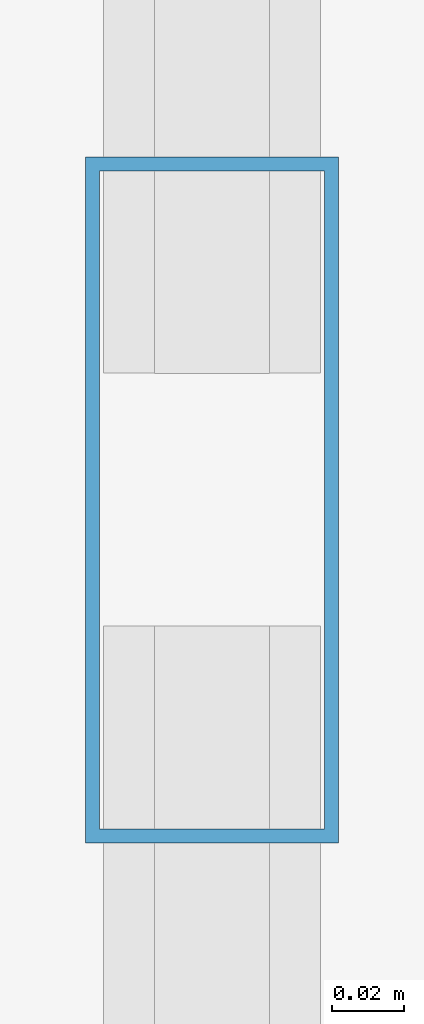
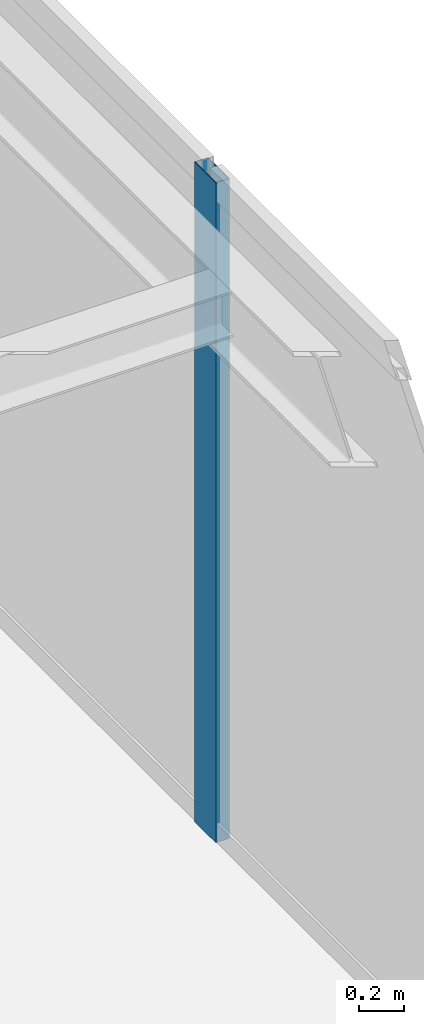
# One storey, part 20 of 32: 1 member, 1 element without a shape of its own.
"""IFC4 building model written with IfcOpenShell, lengths in metres."""

from ifc_helpers import new_model, si_unit, direction, frame, origin, origin_2d, place, context, subcontext, project, spatial, hollow_rectangle, extrude, source, transform, mapped, material, layer, layer_set, material_profile, profile_set, type_object, type_shapes, element, aggregate, save


model = new_model("IFC4")

# Units and contexts
model_context = context("Model", 3, precision=1e-05, world=origin(), true_north=direction((0.0, 1.0)))
body_context = subcontext(model_context, "Body", "Model", "MODEL_VIEW")
ifc_project = project(units=[si_unit("LENGTHUNIT", "METRE"), si_unit("AREAUNIT", "SQUARE_METRE"), si_unit("VOLUMEUNIT", "CUBIC_METRE"), si_unit("PLANEANGLEUNIT", "RADIAN"), si_unit("MASSUNIT", "GRAM", prefix="KILO")], contexts=[model_context])

# Site, building, storey
site_placement = place(None, origin())
site = spatial("IfcSite", under=ifc_project, at=site_placement, CompositionType="ELEMENT")
building_placement = place(site_placement, origin())
building = spatial("IfcBuilding", under=site, at=building_placement, Name="Varnel Quay Broadcast Tower", CompositionType="ELEMENT")
storey_placement = place(building_placement, frame((0.0, 0.0, 133.39990234375)))
storey = spatial("IfcBuildingStorey", under=building, at=storey_placement, Name="L32", CompositionType="ELEMENT", Elevation=133.39990234375)

# Curtain wall, member
ifc_material = material(Name="Anodised Bronze Aluminium 6063-T6", Category="aluminium")
ifc_layer = layer(ifc_material, 0.18994140625, Name="Anodised Bronze Aluminium 6063-T6")
ifc_layer_set = layer_set([ifc_layer], Name="Anodised Bronze Aluminium 6063-T6")
curtain_wall_type = type_object("IfcCurtainWallType", Name="CW_LowerTower", PredefinedType="NOTDEFINED", material=ifc_layer_set)
curtain_wall_placement = place(storey_placement, origin())
curtain_wall = element("IfcCurtainWall", 1, at=curtain_wall_placement, inside=storey, type_object=curtain_wall_type, Name="L32 East Unitised Curtain Wall", PredefinedType="NOTDEFINED")
ifc_material_profile = material_profile(ifc_material, hollow_rectangle(XDim=0.070068359375, YDim=0.18994140625, WallThickness=0.00390625, at=origin_2d()), Name="ALU70X190X4")
ifc_profile_set = profile_set([ifc_material_profile], Name="Anodised Bronze Aluminium 6063-T6")
member_type = type_object("IfcMemberType", Name="Mull_CWS-02", PredefinedType="MULLION", material=ifc_profile_set)
shared_shape = source(origin(), body_context, "Body", "SweptSolid", [
    extrude(hollow_rectangle(XDim=0.070068359375, YDim=0.18994140625, WallThickness=0.00390625, at=origin_2d()), origin(), (0.0, 0.0, 1.0), 3.550048828125),
])
type_shapes(member_type, [shared_shape])
member_placement = place(storey_placement, frame((63.35009765625, 31.39990234375, 0.0), z_axis=(0.0, 0.0, 1.0), x_axis=(-1.0, 0.0, 0.0)))
member = element("IfcMember", 2, at=member_placement, type_object=member_type, Name="CWS-02 mullion 3", PredefinedType="MULLION", context=body_context, shape_type="MappedRepresentation", body=[
    mapped(shared_shape, transform((0.0, 0.0, 0.0), x_axis=(1.0, 0.0, 0.0), y_axis=(0.0, 1.0, 0.0), z_axis=(0.0, 0.0, 1.0), scale=1.0)),
])
aggregate(curtain_wall, [member])

save(model, "model.ifc")
